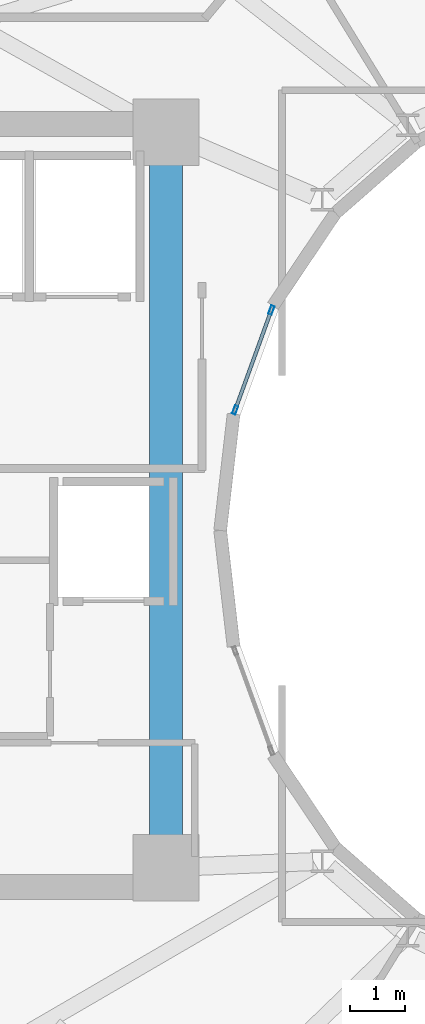
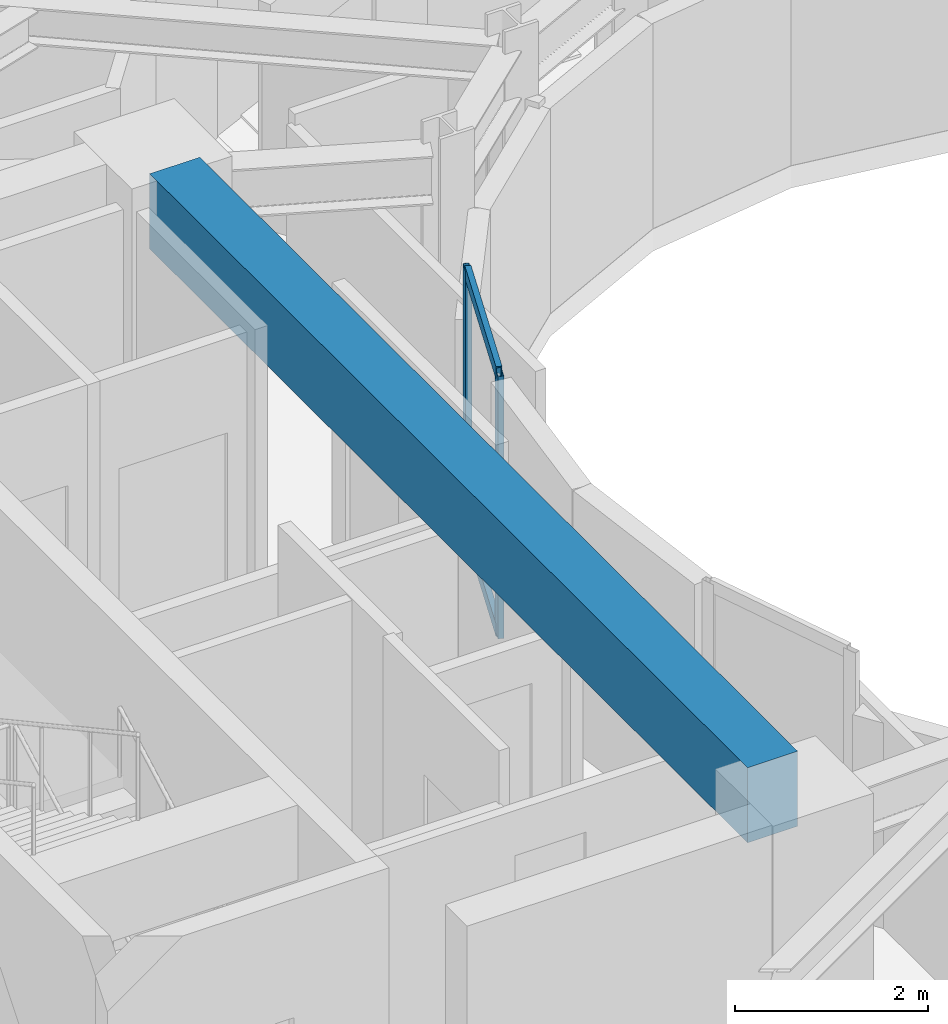
# One storey, part 7 of 24: 4 members, 1 beam, 1 element without a shape of its own.
"""IFC4 building model written with IfcOpenShell, lengths in metres."""

from ifc_helpers import new_model, si_unit, direction, frame, origin, origin_2d, place, context, subcontext, project, spatial, rectangle, hollow_rectangle, extrude, material, layer, layer_set, material_profile, profile_set, type_object, element, aggregate, save


model = new_model("IFC4")

# Units and contexts
model_context = context("Model", 3, precision=1e-05, world=origin(), true_north=direction((0.0, 1.0)))
body_context = subcontext(model_context, "Body", "Model", "MODEL_VIEW")
ifc_project = project(units=[si_unit("LENGTHUNIT", "METRE"), si_unit("AREAUNIT", "SQUARE_METRE"), si_unit("VOLUMEUNIT", "CUBIC_METRE"), si_unit("PLANEANGLEUNIT", "RADIAN"), si_unit("MASSUNIT", "GRAM", prefix="KILO")], contexts=[model_context])

# Site, building, storey
site_placement = place(None, origin())
site = spatial("IfcSite", under=ifc_project, at=site_placement, CompositionType="ELEMENT")
building_placement = place(site_placement, origin())
building = spatial("IfcBuilding", under=site, at=building_placement, Name="Solvane Sanctuary Tower", CompositionType="ELEMENT")
storey_placement = place(building_placement, frame((0.0, 0.0, 246.0)))
storey = spatial("IfcBuildingStorey", under=building, at=storey_placement, Name="L75", CompositionType="ELEMENT", Elevation=246.0)

# Beam
ifc_material_1 = material(Name="Concrete C70/85", Category="concrete")
ifc_material_profile_1 = material_profile(ifc_material_1, rectangle(XDim=0.60009765625, YDim=0.949951171875, at=origin_2d()), Name="RC600X950")
ifc_profile_set_1 = profile_set([ifc_material_profile_1], Name="Concrete C70/85")
beam_type = type_object("IfcBeamType", Name="Beam B-COUPLE RC600X950", PredefinedType="LINTEL", material=ifc_profile_set_1)
beam_placement = place(storey_placement, frame((23.89990234375, 17.35009765625, 3.125), z_axis=(0.0, 1.0, 0.0), x_axis=(-1.0, 0.0, 0.0)))
element("IfcBeam", 1, at=beam_placement, inside=storey, type_object=beam_type, Name="L75 West Core Coupling Lintel", PredefinedType="LINTEL", context=body_context, shape_type="SweptSolid", body=[
    extrude(rectangle(XDim=0.60009765625, YDim=0.949951171875, at=origin_2d()), origin(), (0.0, 0.0, 1.0), 12.39990234375),
])

# Curtain wall, members
ifc_material_2 = material(Name="Anodised Aluminium 6063-T6", Category="aluminium")
ifc_layer = layer(ifc_material_2, 0.199951171875, Name="Anodised Aluminium 6063-T6")
ifc_layer_set = layer_set([ifc_layer], Name="Anodised Aluminium 6063-T6")
curtain_wall_type = type_object("IfcCurtainWallType", Name="Curtain Wall CW-WELL", PredefinedType="NOTDEFINED", material=ifc_layer_set)
curtain_wall_placement = place(storey_placement, origin())
curtain_wall = element("IfcCurtainWall", 2, at=curtain_wall_placement, inside=storey, type_object=curtain_wall_type, Name="L75 Light-Well Glazed Curtain Wall 10", PredefinedType="NOTDEFINED")
ifc_material_profile_2 = material_profile(ifc_material_2, hollow_rectangle(XDim=0.06494140625, YDim=0.159912109375, WallThickness=0.00341796875, at=origin_2d()), Name="ALU160X65X3.5")
ifc_profile_set_2 = profile_set([ifc_material_profile_2], Name="Anodised Aluminium 6063-T6")
member_type_1 = type_object("IfcMemberType", Name="Member M-CW-MUL-2 ALU160X65X3.5", PredefinedType="MULLION", material=ifc_profile_set_2)
member_1_placement = place(storey_placement, frame((25.8056640625, 26.982421875, 0.0), z_axis=(0.0, 0.0, 1.0), x_axis=(0.939933181429, -0.341358483781, 0.0)))
member_1 = element("IfcMember", 3, at=member_1_placement, type_object=member_type_1, Name="CW-WELL mullion 1", PredefinedType="MULLION", context=body_context, shape_type="SweptSolid", body=[
    extrude(hollow_rectangle(XDim=0.06494140625, YDim=0.159912109375, WallThickness=0.00341796875, at=origin_2d()), origin(), (0.0, 0.0, 1.0), 3.320068359375),
])
member_2_placement = place(storey_placement, frame((25.15087890625, 25.17919921875, 0.0), z_axis=(0.0, 0.0, 1.0), x_axis=(0.939933181429, -0.341358483781, 0.0)))
member_2 = element("IfcMember", 4, at=member_2_placement, type_object=member_type_1, Name="CW-WELL mullion 2", PredefinedType="MULLION", context=body_context, shape_type="SweptSolid", body=[
    extrude(hollow_rectangle(XDim=0.06494140625, YDim=0.159912109375, WallThickness=0.00341796875, at=origin_2d()), origin(), (0.0, 0.0, 1.0), 3.320068359375),
])
ifc_material_profile_3 = material_profile(ifc_material_2, hollow_rectangle(XDim=0.06494140625, YDim=0.159912109375, WallThickness=0.00341796875, at=origin_2d()), Name="ALU160X65X3.5")
ifc_profile_set_3 = profile_set([ifc_material_profile_3], Name="Anodised Aluminium 6063-T6")
member_type_2 = type_object("IfcMemberType", Name="Member M-CW-TRN-1 ALU160X65X3.5", PredefinedType="USERDEFINED", material=ifc_profile_set_3)
member_3_placement = place(storey_placement, frame((25.794677734375, 26.951904296875, 0.032470703125), z_axis=(-0.341404620561, -0.939916424508, 0.0), x_axis=(0.939916424508, -0.341404620561, 0.0)))
member_3 = element("IfcMember", 5, at=member_3_placement, type_object=member_type_2, Name="CW-WELL transom 1.1", ObjectType="TRANSOM", PredefinedType="USERDEFINED", context=body_context, shape_type="SweptSolid", body=[
    extrude(hollow_rectangle(XDim=0.06494140625, YDim=0.159912109375, WallThickness=0.00341796875, at=origin_2d()), origin(), (0.0, 0.0, 1.0), 1.853515625),
])
member_4_placement = place(storey_placement, frame((25.794677734375, 26.951904296875, 3.28759765625), z_axis=(-0.341404620561, -0.939916424508, 0.0), x_axis=(0.939916424508, -0.341404620561, 0.0)))
member_4 = element("IfcMember", 6, at=member_4_placement, type_object=member_type_2, Name="CW-WELL transom 1.2", ObjectType="TRANSOM", PredefinedType="USERDEFINED", context=body_context, shape_type="SweptSolid", body=[
    extrude(hollow_rectangle(XDim=0.06494140625, YDim=0.159912109375, WallThickness=0.00341796875, at=origin_2d()), origin(), (0.0, 0.0, 1.0), 1.853515625),
])
aggregate(curtain_wall, [member_1, member_2, member_3, member_4])

save(model, "model.ifc")
